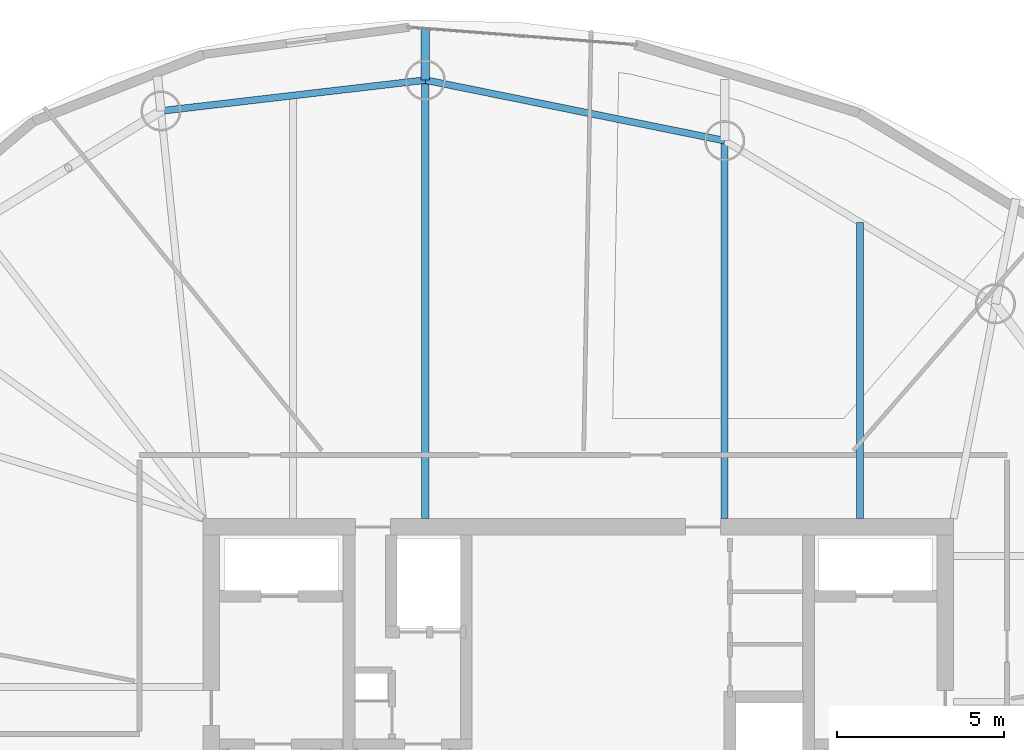
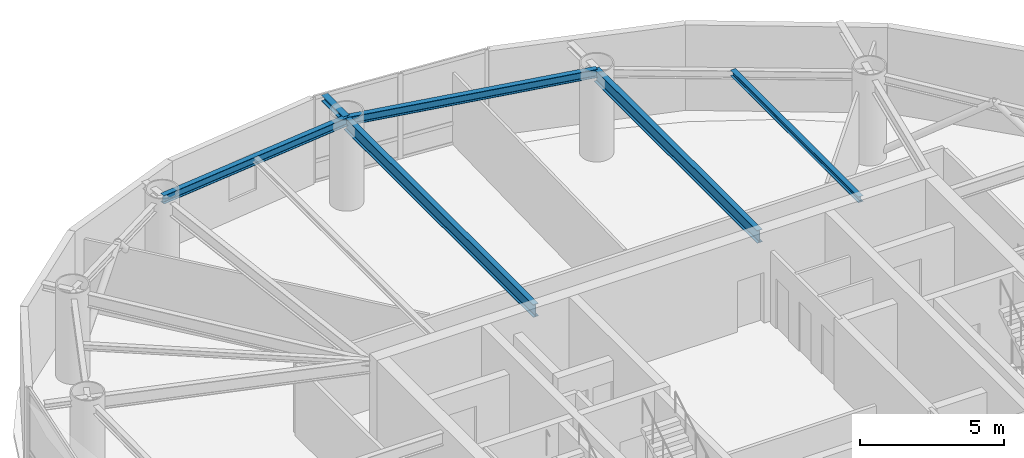
# One storey, part 12 of 21: 6 beams.
"""IFC4 building model written with IfcOpenShell, lengths in metres."""

from ifc_helpers import new_model, si_unit, direction, frame, origin, origin_2d, place, context, subcontext, project, spatial, i_section, extrude, material, material_profile, profile_set, type_object, element, save


model = new_model("IFC4")

# Units and contexts
model_context = context("Model", 3, precision=1e-05, world=origin(), true_north=direction((0.0, 1.0)))
body_context = subcontext(model_context, "Body", "Model", "MODEL_VIEW")
ifc_project = project(units=[si_unit("LENGTHUNIT", "METRE"), si_unit("AREAUNIT", "SQUARE_METRE"), si_unit("VOLUMEUNIT", "CUBIC_METRE"), si_unit("PLANEANGLEUNIT", "RADIAN"), si_unit("MASSUNIT", "GRAM", prefix="KILO")], contexts=[model_context])

# Site, building, storey
site_placement = place(None, origin())
site = spatial("IfcSite", under=ifc_project, at=site_placement, CompositionType="ELEMENT")
building_placement = place(site_placement, origin())
building = spatial("IfcBuilding", under=site, at=building_placement, Name="Bramvorn Convention Spire", CompositionType="ELEMENT")
storey_placement = place(building_placement, frame((0.0, 0.0, 186.60009765625)))
storey = spatial("IfcBuildingStorey", under=building, at=storey_placement, Name="L47", CompositionType="ELEMENT", Elevation=186.60009765625)

# Beams
ifc_material = material(Name="Steel CSA G40.21 Grade 350 (350W)", Category="steel")
ifc_material_profile_1 = material_profile(ifc_material, i_section(OverallWidth=0.201904296875, OverallDepth=0.2470703125, WebThickness=0.00732421875, FlangeThickness=0.010986328125, FilletRadius=0.011962890625, at=origin_2d()))
ifc_profile_set_1 = profile_set([ifc_material_profile_1], Name="Steel CSA G40.21 Grade 350 (350W) - W250X49")
beam_type_1 = type_object("IfcBeamType", Name="BM-W250X49", PredefinedType="JOIST", material=ifc_profile_set_1)
beam_1_placement = place(storey_placement, frame((46.445556640625, 33.449951171875, 3.496337890625), z_axis=(0.0, 1.0, 0.0), x_axis=(-1.0, 0.0, 0.0)))
element("IfcBeam", 1, at=beam_1_placement, inside=storey, type_object=beam_type_1, Name="L47 composite floor joist 05", PredefinedType="JOIST", context=body_context, shape_type="SweptSolid", body=[
    extrude(i_section(OverallWidth=0.201904296875, OverallDepth=0.2470703125, WebThickness=0.00732421875, FlangeThickness=0.010986328125, FilletRadius=0.011962890625, at=origin_2d()), origin(), (0.0, 0.0, 1.0), 8.878662109375),
])
ifc_material_profile_2 = material_profile(ifc_material, i_section(OverallWidth=0.25390625, OverallDepth=0.2529296875, WebThickness=0.008544921875, FlangeThickness=0.01416015625, FilletRadius=0.011962890625, at=origin_2d()))
ifc_profile_set_2 = profile_set([ifc_material_profile_2], Name="Steel CSA G40.21 Grade 350 (350W) - W250X73")
beam_type_2 = type_object("IfcBeamType", Name="BM-W250X73", PredefinedType="BEAM", material=ifc_profile_set_2)
beam_2_placement = place(storey_placement, frame((33.416259765625, 46.58837890625, 3.493408203125), z_axis=(0.0, 1.0, 0.0), x_axis=(-1.0, 0.0, 0.0)))
element("IfcBeam", 2, at=beam_2_placement, inside=storey, type_object=beam_type_2, Name="L47 slab-edge cantilever tip beam MC07", PredefinedType="BEAM", context=body_context, shape_type="SweptSolid", body=[
    extrude(i_section(OverallWidth=0.25390625, OverallDepth=0.2529296875, WebThickness=0.008544921875, FlangeThickness=0.01416015625, FilletRadius=0.011962890625, at=origin_2d()), origin(), (0.0, 0.0, 1.0), 1.533935546875),
])
ifc_material_profile_3 = material_profile(ifc_material, i_section(OverallWidth=0.205078125, OverallDepth=0.35400390625, WebThickness=0.009521484375, FlangeThickness=0.016845703125, FilletRadius=0.014892578125, at=origin_2d()))
ifc_profile_set_3 = profile_set([ifc_material_profile_3], Name="Steel CSA G40.21 Grade 350 (350W) - W360X79")
beam_type_3 = type_object("IfcBeamType", Name="BM-W360X79", PredefinedType="JOIST", material=ifc_profile_set_3)
beam_3_placement = place(storey_placement, frame((42.38916015625, 44.772216796875, 3.44287109375), z_axis=(-0.980124701676, 0.198382381187, 0.0), x_axis=(-0.198382381187, -0.980124701676, 0.0)))
element("IfcBeam", 3, at=beam_3_placement, inside=storey, type_object=beam_type_3, Name="L47 mega-column ring beam 06", PredefinedType="JOIST", context=body_context, shape_type="SweptSolid", body=[
    extrude(i_section(OverallWidth=0.205078125, OverallDepth=0.35400390625, WebThickness=0.009521484375, FlangeThickness=0.016845703125, FilletRadius=0.014892578125, at=origin_2d()), origin(), (0.0, 0.0, 1.0), 9.15478515625),
])
beam_4_placement = place(storey_placement, frame((33.416259765625, 46.58837890625, 3.44287109375), z_axis=(-0.993256148339, -0.115940604561, 0.0), x_axis=(0.115940604561, -0.993256148339, 0.0)))
element("IfcBeam", 4, at=beam_4_placement, inside=storey, type_object=beam_type_3, Name="L47 mega-column ring beam 07", PredefinedType="JOIST", context=body_context, shape_type="SweptSolid", body=[
    extrude(i_section(OverallWidth=0.205078125, OverallDepth=0.35400390625, WebThickness=0.009521484375, FlangeThickness=0.016845703125, FilletRadius=0.014892578125, at=origin_2d()), origin(), (0.0, 0.0, 1.0), 7.974365234375),
])
ifc_material_profile_4 = material_profile(ifc_material, i_section(OverallWidth=0.2119140625, OverallDepth=0.5439453125, WebThickness=0.01318359375, FlangeThickness=0.021240234375, FilletRadius=0.01904296875, at=origin_2d()))
ifc_profile_set_4 = profile_set([ifc_material_profile_4], Name="Steel CSA G40.21 Grade 350 (350W) - W530X123")
beam_type_4 = type_object("IfcBeamType", Name="BM-W530X123", PredefinedType="BEAM", material=ifc_profile_set_4)
beam_5_placement = place(storey_placement, frame((42.38916015625, 33.449951171875, 3.347900390625), z_axis=(0.0, 1.0, 0.0), x_axis=(-1.0, 0.0, 0.0)))
element("IfcBeam", 5, at=beam_5_placement, inside=storey, type_object=beam_type_4, Name="L47 radial floor girder MC06", PredefinedType="BEAM", context=body_context, shape_type="SweptSolid", body=[
    extrude(i_section(OverallWidth=0.2119140625, OverallDepth=0.5439453125, WebThickness=0.01318359375, FlangeThickness=0.021240234375, FilletRadius=0.01904296875, at=origin_2d()), origin(), (0.0, 0.0, 1.0), 11.322265625),
])
beam_6_placement = place(storey_placement, frame((33.416259765625, 33.449951171875, 3.347900390625), z_axis=(0.0, 1.0, 0.0), x_axis=(-1.0, 0.0, 0.0)))
element("IfcBeam", 6, at=beam_6_placement, inside=storey, type_object=beam_type_4, Name="L47 radial floor girder MC07", PredefinedType="BEAM", context=body_context, shape_type="SweptSolid", body=[
    extrude(i_section(OverallWidth=0.2119140625, OverallDepth=0.5439453125, WebThickness=0.01318359375, FlangeThickness=0.021240234375, FilletRadius=0.01904296875, at=origin_2d()), origin(), (0.0, 0.0, 1.0), 13.138427734375),
])

save(model, "model.ifc")
